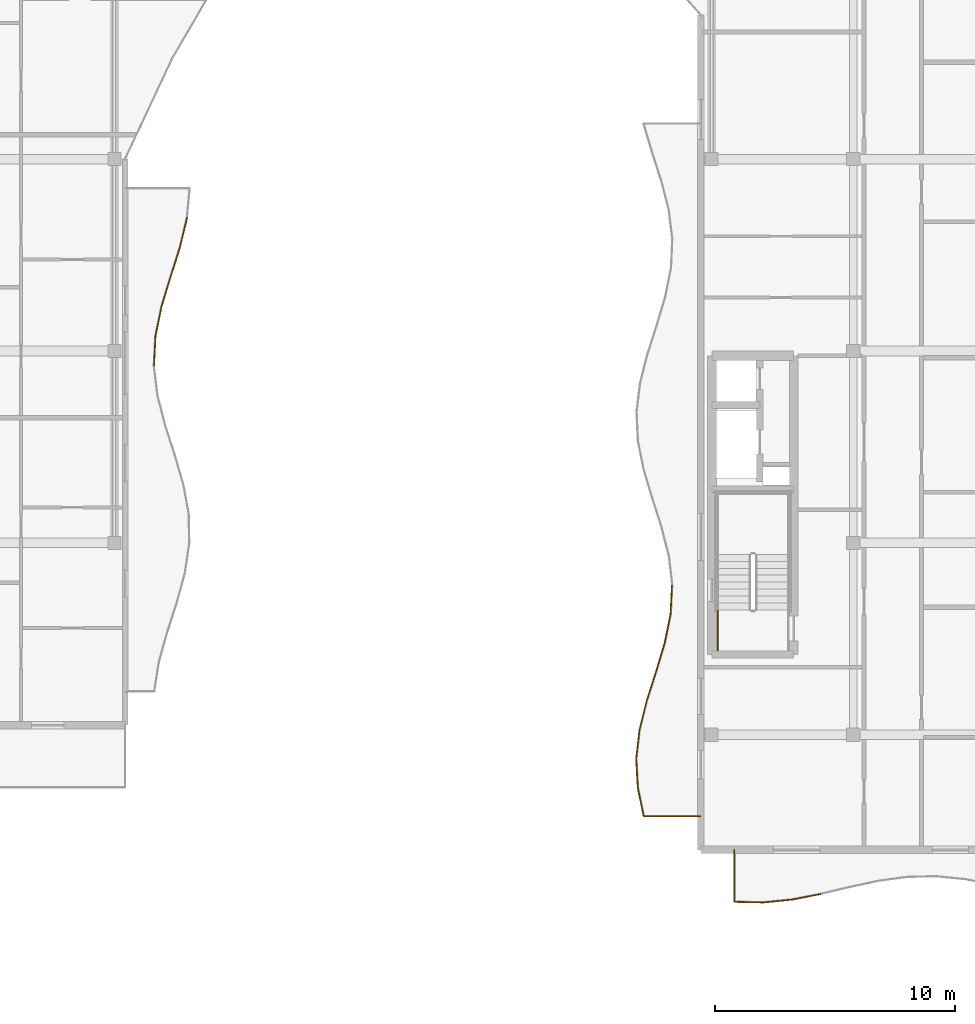
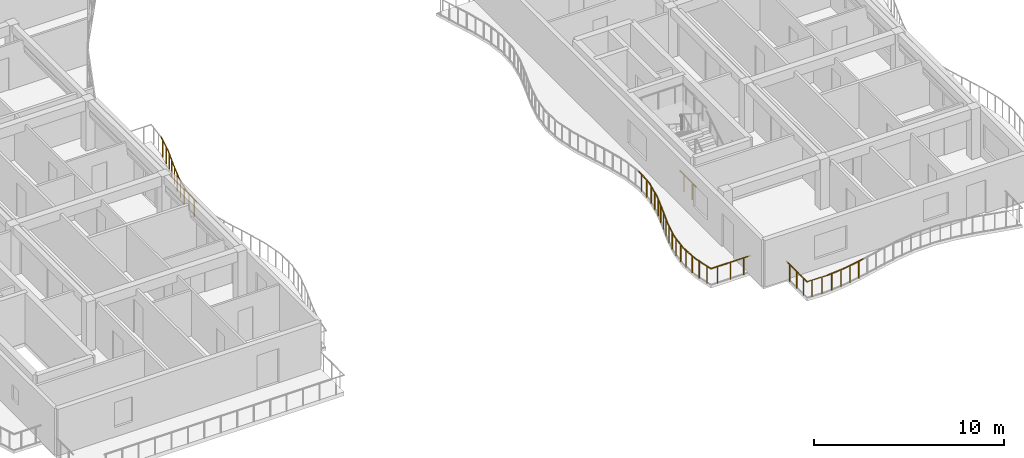
# One storey, part 48 of 68: 19 railings.
"""IFC4 building model written with IfcOpenShell, lengths in metres."""

from ifc_helpers import new_model, si_unit, direction, frame, origin, origin_2d, place, context, subcontext, project, spatial, circle, extrude, material, type_object, element, save


model = new_model("IFC4")

# Units and contexts
model_context = context("Model", 3, precision=1e-05, world=origin(), true_north=direction((0.0, 1.0)))
body_context = subcontext(model_context, "Body", "Model", "MODEL_VIEW")
ifc_project = project(units=[si_unit("LENGTHUNIT", "METRE"), si_unit("AREAUNIT", "SQUARE_METRE"), si_unit("VOLUMEUNIT", "CUBIC_METRE"), si_unit("PLANEANGLEUNIT", "RADIAN"), si_unit("MASSUNIT", "GRAM", prefix="KILO")], contexts=[model_context])

# Site, building, storey
site_placement = place(None, origin())
site = spatial("IfcSite", under=ifc_project, at=site_placement, CompositionType="ELEMENT")
building_placement = place(site_placement, origin())
building = spatial("IfcBuilding", under=site, at=building_placement, Name="Keldmere Railside Commons", CompositionType="ELEMENT")
storey_placement = place(building_placement, frame((0.0, 0.0, 23.360107421875)))
storey = spatial("IfcBuildingStorey", under=building, at=storey_placement, Name="L07", CompositionType="ELEMENT", Elevation=23.360107421875)

# Railings
ifc_material = material(Name="Steel F-24 (S235)", Category="steel")
railing_type_1 = type_object("IfcRailingType", Name="Balcony & Terrace Steel Balustrade 1100", PredefinedType="BALUSTRADE", material=ifc_material)
railing_1_placement = place(storey_placement, frame((25.205078125, 79.38818359375, 0.0)))
element("IfcRailing", 1, at=railing_1_placement, inside=storey, type_object=railing_type_1, Name="GR-1 GRD-L07-0728", PredefinedType="BALUSTRADE", context=body_context, shape_type="SweptSolid", body=[
    extrude(circle(Radius=0.02392578125, at=origin_2d()), frame((0.0, 0.0, 1.076171875), z_axis=(0.049150011966, 0.998791407814, 0.0), x_axis=(-0.998791407814, 0.049150011966, 0.0)), (0.0, 0.0, 1.0), 1.23681640625),
    extrude(circle(Radius=0.02099609375, at=origin_2d()), frame((0.01513671875, 0.308837890625, 0.0)), (0.0, 0.0, 1.0), 1.048095703125),
    extrude(circle(Radius=0.02099609375, at=origin_2d()), frame((0.045654296875, 0.926513671875, 0.0)), (0.0, 0.0, 1.0), 1.048095703125),
])
railing_2_placement = place(storey_placement, frame((25.265869140625, 80.62353515625, 0.0)))
element("IfcRailing", 2, at=railing_2_placement, inside=storey, type_object=railing_type_1, Name="GR-1 GRD-L07-0729", PredefinedType="BALUSTRADE", context=body_context, shape_type="SweptSolid", body=[
    extrude(circle(Radius=0.02392578125, at=origin_2d()), frame((0.0, 0.0, 1.076171875), z_axis=(0.202067954468, 0.979371503454, 0.0), x_axis=(-0.979371503454, 0.202067954468, 0.0)), (0.0, 0.0, 1.0), 1.261474609375),
    extrude(circle(Radius=0.02099609375, at=origin_2d()), frame((0.063720703125, 0.308837890625, 0.0)), (0.0, 0.0, 1.0), 1.048095703125),
    extrude(circle(Radius=0.02099609375, at=origin_2d()), frame((0.191162109375, 0.926513671875, 0.0)), (0.0, 0.0, 1.0), 1.048095703125),
])
railing_3_placement = place(storey_placement, frame((25.520751953125, 81.85888671875, 0.0)))
element("IfcRailing", 3, at=railing_3_placement, inside=storey, type_object=railing_type_1, Name="GR-1 GRD-L07-0730", PredefinedType="BALUSTRADE", context=body_context, shape_type="SweptSolid", body=[
    extrude(circle(Radius=0.02392578125, at=origin_2d()), frame((0.0, 0.0, 1.076171875), z_axis=(0.291560358184, 0.956552433239, 0.0), x_axis=(-0.956552433239, 0.291560358184, 0.0)), (0.0, 0.0, 1.0), 1.291259765625),
    extrude(circle(Radius=0.02099609375, at=origin_2d()), frame((0.09423828125, 0.308837890625, 0.0)), (0.0, 0.0, 1.0), 1.048095703125),
    extrude(circle(Radius=0.02099609375, at=origin_2d()), frame((0.2822265625, 0.92626953125, 0.0)), (0.0, 0.0, 1.0), 1.048095703125),
])
railing_4_placement = place(storey_placement, frame((25.897216796875, 83.093994140625, 0.0)))
element("IfcRailing", 4, at=railing_4_placement, inside=storey, type_object=railing_type_1, Name="GR-1 GRD-L07-0731", PredefinedType="BALUSTRADE", context=body_context, shape_type="SweptSolid", body=[
    extrude(circle(Radius=0.02392578125, at=origin_2d()), frame((0.0, 0.0, 1.076171875), z_axis=(0.302177058027, 0.953251816469, 0.0), x_axis=(-0.953251816469, 0.302177058027, 0.0)), (0.0, 0.0, 1.0), 1.2958984375),
    extrude(circle(Radius=0.02099609375, at=origin_2d()), frame((0.097900390625, 0.308837890625, 0.0)), (0.0, 0.0, 1.0), 1.048095703125),
    extrude(circle(Radius=0.02099609375, at=origin_2d()), frame((0.293701171875, 0.926513671875, 0.0)), (0.0, 0.0, 1.0), 1.048095703125),
])
railing_5_placement = place(storey_placement, frame((26.288818359375, 84.329345703125, 0.0)))
element("IfcRailing", 5, at=railing_5_placement, inside=storey, type_object=railing_type_1, Name="GR-1 GRD-L07-0732", PredefinedType="BALUSTRADE", context=body_context, shape_type="SweptSolid", body=[
    extrude(circle(Radius=0.02392578125, at=origin_2d()), frame((0.0, 0.0, 1.076171875), z_axis=(0.232573213222, 0.972578891654, 0.0), x_axis=(-0.972578891654, 0.232573213222, 0.0)), (0.0, 0.0, 1.0), 1.270263671875),
    extrude(circle(Radius=0.02099609375, at=origin_2d()), frame((0.07373046875, 0.308837890625, 0.0)), (0.0, 0.0, 1.0), 1.048095703125),
    extrude(circle(Radius=0.02099609375, at=origin_2d()), frame((0.2216796875, 0.926513671875, 0.0)), (0.0, 0.0, 1.0), 1.048095703125),
])
railing_6_placement = place(storey_placement, frame((48.0, 60.60009765625, 0.0)))
element("IfcRailing", 6, at=railing_6_placement, inside=storey, type_object=railing_type_1, Name="GR-1 GRD-L07-1573", PredefinedType="BALUSTRADE", context=body_context, shape_type="SweptSolid", body=[
    extrude(circle(Radius=0.02392578125, at=origin_2d()), frame((0.0, 0.0, 1.076171875), z_axis=(-1.0, 0.0, 0.0), x_axis=(0.0, -1.0, 0.0)), (0.0, 0.0, 1.0), 2.3837890625),
    extrude(circle(Radius=0.02099609375, at=origin_2d()), frame((-0.397216796875, 0.0, 0.0)), (0.0, 0.0, 1.0), 1.048095703125),
    extrude(circle(Radius=0.02099609375, at=origin_2d()), frame((-1.19189453125, 0.0, 0.0)), (0.0, 0.0, 1.0), 1.048095703125),
    extrude(circle(Radius=0.02099609375, at=origin_2d()), frame((-1.986572265625, 0.0, 0.0)), (0.0, 0.0, 1.0), 1.048095703125),
])
railing_7_placement = place(storey_placement, frame((45.6162109375, 60.60009765625, 0.0)))
element("IfcRailing", 7, at=railing_7_placement, inside=storey, type_object=railing_type_1, Name="GR-1 GRD-L07-1574", PredefinedType="BALUSTRADE", context=body_context, shape_type="SweptSolid", body=[
    extrude(circle(Radius=0.02392578125, at=origin_2d()), frame((0.0, 0.0, 1.076171875), z_axis=(-0.201955477181, 0.979394703496, 0.0), x_axis=(-0.979394703496, -0.201955477181, 0.0)), (0.0, 0.0, 1.0), 1.2294921875),
    extrude(circle(Radius=0.02099609375, at=origin_2d()), frame((-0.06201171875, 0.301025390625, 0.0)), (0.0, 0.0, 1.0), 1.048095703125),
    extrude(circle(Radius=0.02099609375, at=origin_2d()), frame((-0.186279296875, 0.903076171875, 0.0)), (0.0, 0.0, 1.0), 1.048095703125),
])
railing_8_placement = place(storey_placement, frame((45.367919921875, 61.80419921875, 0.0)))
element("IfcRailing", 8, at=railing_8_placement, inside=storey, type_object=railing_type_1, Name="GR-1 GRD-L07-1575", PredefinedType="BALUSTRADE", context=body_context, shape_type="SweptSolid", body=[
    extrude(circle(Radius=0.02392578125, at=origin_2d()), frame((0.0, 0.0, 1.076171875), z_axis=(-0.053451459553, 0.998570448928, 0.0), x_axis=(-0.998570448928, -0.053451459553, 0.0)), (0.0, 0.0, 1.0), 1.205810546875),
    extrude(circle(Radius=0.02099609375, at=origin_2d()), frame((-0.01611328125, 0.301025390625, 0.0)), (0.0, 0.0, 1.0), 1.048095703125),
    extrude(circle(Radius=0.02099609375, at=origin_2d()), frame((-0.04833984375, 0.903076171875, 0.0)), (0.0, 0.0, 1.0), 1.048095703125),
])
railing_9_placement = place(storey_placement, frame((45.303466796875, 63.00830078125, 0.0)))
element("IfcRailing", 9, at=railing_9_placement, inside=storey, type_object=railing_type_1, Name="GR-1 GRD-L07-1576", PredefinedType="BALUSTRADE", context=body_context, shape_type="SweptSolid", body=[
    extrude(circle(Radius=0.02392578125, at=origin_2d()), frame((0.0, 0.0, 1.076171875), z_axis=(0.113217051256, 0.993570278996, 0.0), x_axis=(-0.993570278996, 0.113217051256, 0.0)), (0.0, 0.0, 1.0), 1.2119140625),
    extrude(circle(Radius=0.02099609375, at=origin_2d()), frame((0.0341796875, 0.301025390625, 0.0)), (0.0, 0.0, 1.0), 1.048095703125),
    extrude(circle(Radius=0.02099609375, at=origin_2d()), frame((0.10302734375, 0.903076171875, 0.0)), (0.0, 0.0, 1.0), 1.048095703125),
])
railing_10_placement = place(storey_placement, frame((45.440673828125, 64.21240234375, 0.0)))
element("IfcRailing", 10, at=railing_10_placement, inside=storey, type_object=railing_type_1, Name="GR-1 GRD-L07-1577", PredefinedType="BALUSTRADE", context=body_context, shape_type="SweptSolid", body=[
    extrude(circle(Radius=0.02392578125, at=origin_2d()), frame((0.0, 0.0, 1.076171875), z_axis=(0.242859501305, 0.970061473632, 0.0), x_axis=(-0.970061473632, 0.242859501305, 0.0)), (0.0, 0.0, 1.0), 1.241455078125),
    extrude(circle(Radius=0.02099609375, at=origin_2d()), frame((0.075439453125, 0.301025390625, 0.0)), (0.0, 0.0, 1.0), 1.048095703125),
    extrude(circle(Radius=0.02099609375, at=origin_2d()), frame((0.22607421875, 0.9033203125, 0.0)), (0.0, 0.0, 1.0), 1.048095703125),
])
railing_11_placement = place(storey_placement, frame((45.7421875, 65.416748046875, 0.0)))
element("IfcRailing", 11, at=railing_11_placement, inside=storey, type_object=railing_type_1, Name="GR-1 GRD-L07-1578", PredefinedType="BALUSTRADE", context=body_context, shape_type="SweptSolid", body=[
    extrude(circle(Radius=0.02392578125, at=origin_2d()), frame((0.0, 0.0, 1.076171875), z_axis=(0.304208003048, 0.952605632401, 0.0), x_axis=(-0.952605632401, 0.304208003048, 0.0)), (0.0, 0.0, 1.0), 1.263916015625),
    extrude(circle(Radius=0.02099609375, at=origin_2d()), frame((0.09619140625, 0.301025390625, 0.0)), (0.0, 0.0, 1.0), 1.048095703125),
    extrude(circle(Radius=0.02099609375, at=origin_2d()), frame((0.288330078125, 0.903076171875, 0.0)), (0.0, 0.0, 1.0), 1.048095703125),
])
railing_12_placement = place(storey_placement, frame((46.126708984375, 66.620849609375, 0.0)))
element("IfcRailing", 12, at=railing_12_placement, inside=storey, type_object=railing_type_1, Name="GR-1 GRD-L07-1579", PredefinedType="BALUSTRADE", context=body_context, shape_type="SweptSolid", body=[
    extrude(circle(Radius=0.02392578125, at=origin_2d()), frame((0.0, 0.0, 1.076171875), z_axis=(0.289199249349, 0.95726892469, 0.0), x_axis=(-0.95726892469, 0.289199249349, 0.0)), (0.0, 0.0, 1.0), 1.2578125),
    extrude(circle(Radius=0.02099609375, at=origin_2d()), frame((0.0908203125, 0.301025390625, 0.0)), (0.0, 0.0, 1.0), 1.048095703125),
    extrude(circle(Radius=0.02099609375, at=origin_2d()), frame((0.27294921875, 0.903076171875, 0.0)), (0.0, 0.0, 1.0), 1.048095703125),
])
railing_13_placement = place(storey_placement, frame((46.490478515625, 67.824951171875, 0.0)))
element("IfcRailing", 13, at=railing_13_placement, inside=storey, type_object=railing_type_1, Name="GR-1 GRD-L07-1580", PredefinedType="BALUSTRADE", context=body_context, shape_type="SweptSolid", body=[
    extrude(circle(Radius=0.02392578125, at=origin_2d()), frame((0.0, 0.0, 1.076171875), z_axis=(0.199438473941, 0.979910350549, 0.0), x_axis=(-0.979910350549, 0.199438473941, 0.0)), (0.0, 0.0, 1.0), 1.22900390625),
    extrude(circle(Radius=0.02099609375, at=origin_2d()), frame((0.061279296875, 0.301025390625, 0.0)), (0.0, 0.0, 1.0), 1.048095703125),
    extrude(circle(Radius=0.02099609375, at=origin_2d()), frame((0.183837890625, 0.9033203125, 0.0)), (0.0, 0.0, 1.0), 1.048095703125),
])
railing_14_placement = place(storey_placement, frame((46.735595703125, 69.029296875, 0.0)))
element("IfcRailing", 14, at=railing_14_placement, inside=storey, type_object=railing_type_1, Name="GR-1 GRD-L07-1581", PredefinedType="BALUSTRADE", context=body_context, shape_type="SweptSolid", body=[
    extrude(circle(Radius=0.02392578125, at=origin_2d()), frame((0.0, 0.0, 1.076171875), z_axis=(0.049816416123, 0.998758391547, 0.0), x_axis=(-0.998758391547, 0.049816416123, 0.0)), (0.0, 0.0, 1.0), 1.20556640625),
    extrude(circle(Radius=0.02099609375, at=origin_2d()), frame((0.01513671875, 0.301025390625, 0.0)), (0.0, 0.0, 1.0), 1.048095703125),
    extrude(circle(Radius=0.02099609375, at=origin_2d()), frame((0.044921875, 0.903076171875, 0.0)), (0.0, 0.0, 1.0), 1.048095703125),
])
railing_15_placement = place(storey_placement, frame((49.39990234375, 59.199951171875, 0.0)))
element("IfcRailing", 15, at=railing_15_placement, inside=storey, type_object=railing_type_1, Name="GR-1 GRD-L07-1621", PredefinedType="BALUSTRADE", context=body_context, shape_type="SweptSolid", body=[
    extrude(circle(Radius=0.02392578125, at=origin_2d()), frame((0.0, 0.0, 1.076171875), z_axis=(0.0, -1.0, 0.0), x_axis=(1.0, 0.0, 0.0)), (0.0, 0.0, 1.0), 2.165771484375),
    extrude(circle(Radius=0.02099609375, at=origin_2d()), frame((0.0, -0.36083984375, 0.0)), (0.0, 0.0, 1.0), 1.048095703125),
    extrude(circle(Radius=0.02099609375, at=origin_2d()), frame((0.0, -1.0830078125, 0.0)), (0.0, 0.0, 1.0), 1.048095703125),
    extrude(circle(Radius=0.02099609375, at=origin_2d()), frame((0.0, -1.8046875, 0.0)), (0.0, 0.0, 1.0), 1.048095703125),
])
railing_16_placement = place(storey_placement, frame((49.39990234375, 57.0341796875, 0.0)))
element("IfcRailing", 16, at=railing_16_placement, inside=storey, type_object=railing_type_1, Name="GR-1 GRD-L07-1622", PredefinedType="BALUSTRADE", context=body_context, shape_type="SweptSolid", body=[
    extrude(circle(Radius=0.02392578125, at=origin_2d()), frame((0.0, 0.0, 1.076171875), z_axis=(0.999758767068, -0.021963780888, 0.0), x_axis=(0.021963780888, 0.999758767068, 0.0)), (0.0, 0.0, 1.0), 1.200439453125),
    extrude(circle(Radius=0.02099609375, at=origin_2d()), frame((0.300048828125, -0.006591796875, 0.0)), (0.0, 0.0, 1.0), 1.048095703125),
    extrude(circle(Radius=0.02099609375, at=origin_2d()), frame((0.900146484375, -0.019775390625, 0.0)), (0.0, 0.0, 1.0), 1.048095703125),
])
railing_17_placement = place(storey_placement, frame((50.60009765625, 57.0078125, 0.0)))
element("IfcRailing", 17, at=railing_17_placement, inside=storey, type_object=railing_type_1, Name="GR-1 GRD-L07-1623", PredefinedType="BALUSTRADE", context=body_context, shape_type="SweptSolid", body=[
    extrude(circle(Radius=0.02392578125, at=origin_2d()), frame((0.0, 0.0, 1.076171875), z_axis=(0.995107103406, 0.098802088802, 0.0), x_axis=(-0.098802088802, 0.995107103406, 0.0)), (0.0, 0.0, 1.0), 1.205810546875),
    extrude(circle(Radius=0.02099609375, at=origin_2d()), frame((0.300048828125, 0.02978515625, 0.0)), (0.0, 0.0, 1.0), 1.048095703125),
    extrude(circle(Radius=0.02099609375, at=origin_2d()), frame((0.89990234375, 0.08935546875, 0.0)), (0.0, 0.0, 1.0), 1.048095703125),
])
railing_18_placement = place(storey_placement, frame((51.800048828125, 57.126953125, 0.0)))
element("IfcRailing", 18, at=railing_18_placement, inside=storey, type_object=railing_type_1, Name="GR-1 GRD-L07-1624", PredefinedType="BALUSTRADE", context=body_context, shape_type="SweptSolid", body=[
    extrude(circle(Radius=0.02392578125, at=origin_2d()), frame((0.0, 0.0, 1.076171875), z_axis=(0.981753395224, 0.190158541659, 0.0), x_axis=(-0.190158541659, 0.981753395224, 0.0)), (0.0, 0.0, 1.0), 1.22216796875),
    extrude(circle(Radius=0.02099609375, at=origin_2d()), frame((0.300048828125, 0.05810546875, 0.0)), (0.0, 0.0, 1.0), 1.048095703125),
    extrude(circle(Radius=0.02099609375, at=origin_2d()), frame((0.89990234375, 0.17431640625, 0.0)), (0.0, 0.0, 1.0), 1.048095703125),
])
railing_type_2 = type_object("IfcRailingType", Name="Stair Well Steel Guardrail 1100", PredefinedType="BALUSTRADE", material=ifc_material)
railing_19_placement = place(storey_placement, frame((48.699951171875, 67.5, 0.0)))
element("IfcRailing", 19, at=railing_19_placement, inside=storey, type_object=railing_type_2, Name="L07 ST-C1 stair guard 9", PredefinedType="BALUSTRADE", context=body_context, shape_type="SweptSolid", body=[
    extrude(circle(Radius=0.02392578125, at=origin_2d()), frame((0.0, 0.0, 1.076171875), z_axis=(0.0, 1.0, 0.0), x_axis=(-1.0, 0.0, 0.0)), (0.0, 0.0, 1.0), 1.699951171875),
    extrude(circle(Radius=0.02099609375, at=origin_2d()), frame((0.0, 0.425048828125, 0.0)), (0.0, 0.0, 1.0), 1.048095703125),
    extrude(circle(Radius=0.02099609375, at=origin_2d()), frame((0.0, 1.27490234375, 0.0)), (0.0, 0.0, 1.0), 1.048095703125),
])

save(model, "model.ifc")
